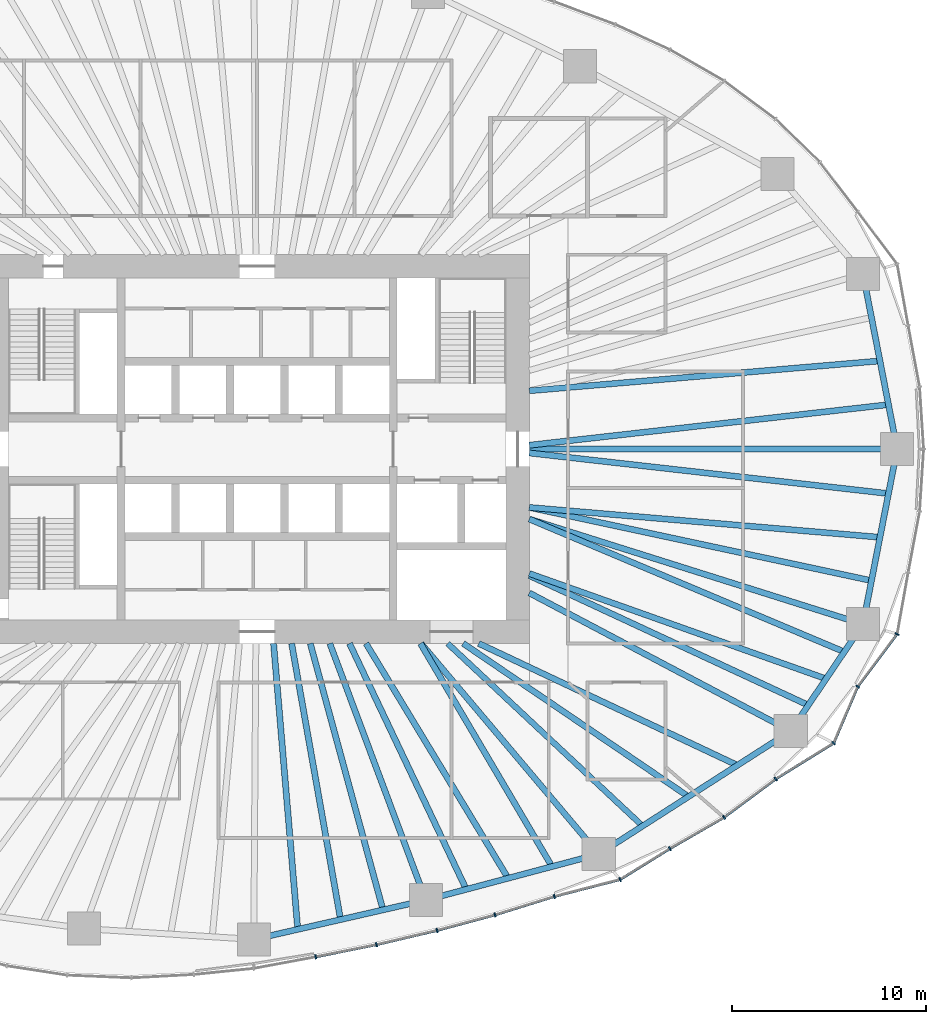
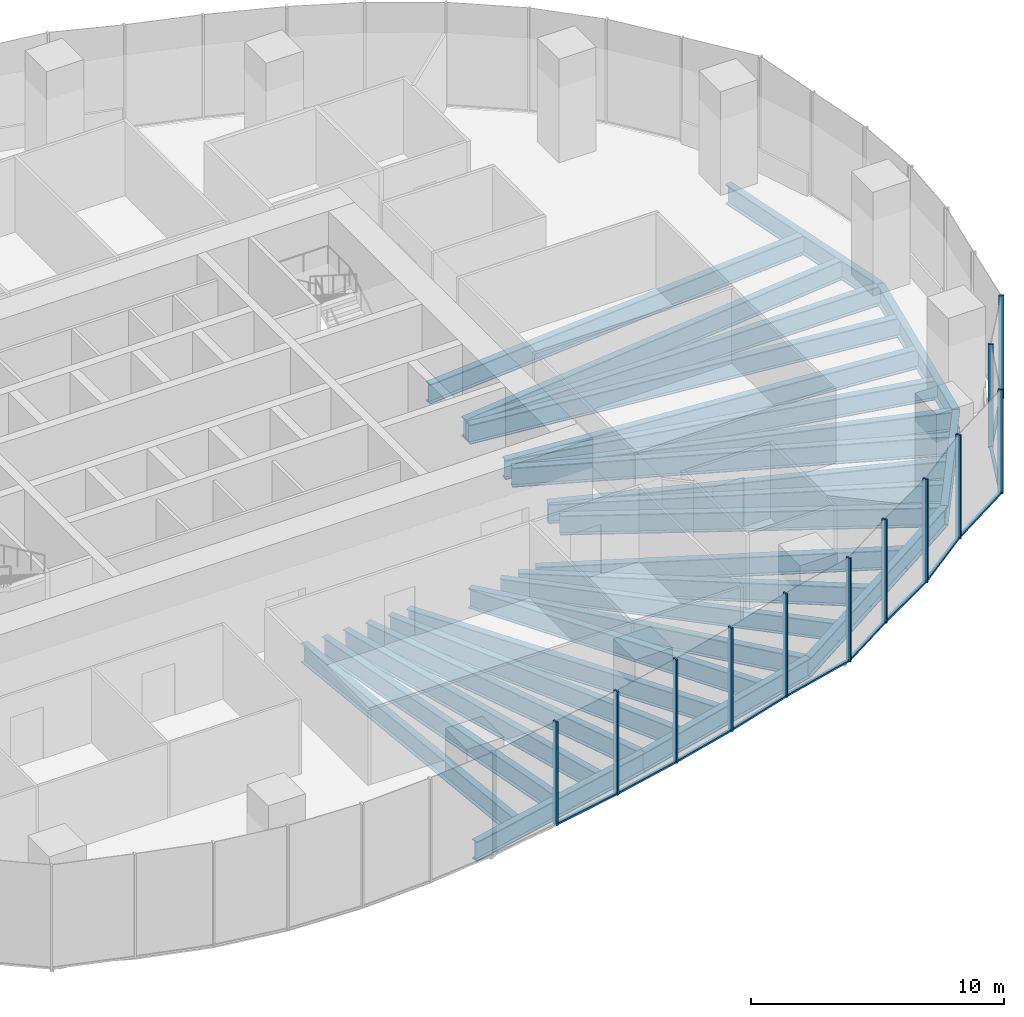
# One storey, part 4 of 20: 28 beams, 23 members, 5 elements without a shape of their own.
"""IFC4 building model written with IfcOpenShell, lengths in metres."""

from ifc_helpers import new_model, si_unit, direction, frame, origin, origin_2d, place, context, subcontext, project, spatial, rectangle, i_section, extrude, material, material_profile, profile_set, type_object, element, aggregate, save


model = new_model("IFC4")

# Units and contexts
model_context = context("Model", 3, precision=1e-05, world=origin(), true_north=direction((0.0, 1.0)))
body_context = subcontext(model_context, "Body", "Model", "MODEL_VIEW")
ifc_project = project(units=[si_unit("LENGTHUNIT", "METRE"), si_unit("AREAUNIT", "SQUARE_METRE"), si_unit("VOLUMEUNIT", "CUBIC_METRE"), si_unit("PLANEANGLEUNIT", "RADIAN"), si_unit("MASSUNIT", "GRAM", prefix="KILO")], contexts=[model_context])

# Site, building, storey
site_placement = place(None, origin())
site = spatial("IfcSite", under=ifc_project, at=site_placement, CompositionType="ELEMENT")
building_placement = place(site_placement, origin())
building = spatial("IfcBuilding", under=site, at=building_placement, Name="Ghaith Harvest Tower", CompositionType="ELEMENT")
storey_placement = place(building_placement, frame((0.0, 0.0, 90.0)))
storey = spatial("IfcBuildingStorey", under=building, at=storey_placement, Name="L18", CompositionType="ELEMENT", Elevation=90.0)

# Curtain wall, members
ifc_material_1 = material(Name="Black anodised aluminium and fritted glass", Category="aluminium")
curtain_wall_type = type_object("IfcCurtainWallType", Name="CW-F CURTAIN WALL", PredefinedType="NOTDEFINED", material=ifc_material_1)
curtain_wall_1_placement = place(storey_placement, origin())
curtain_wall_1 = element("IfcCurtainWall", 1, at=curtain_wall_1_placement, inside=storey, type_object=curtain_wall_type, Name="Curtain wall CW-F bay 16 L18", PredefinedType="NOTDEFINED")
ifc_material_2 = material(Name="Aluminium, black anodised", Category="aluminium")
ifc_material_profile_1 = material_profile(ifc_material_2, rectangle(XDim=0.080078125, YDim=0.219970703125, at=origin_2d()), Name="CW-F MULLION 80x220")
ifc_profile_set_1 = profile_set([ifc_material_profile_1], Name="Aluminium, black anodised")
member_type_1 = type_object("IfcMemberType", Name="CW-F MULLION 80x220", PredefinedType="MULLION", material=ifc_profile_set_1)
member_1_placement = place(storey_placement, frame((3.00927734375, -26.123291015625, 0.0), z_axis=(0.0, 0.0, 1.0), x_axis=(0.981818445714, 0.189822389762, 0.0)))
member_1 = element("IfcMember", 2, at=member_1_placement, type_object=member_type_1, Name="CW-F mullion 2 bay 16 L18", PredefinedType="MULLION", context=body_context, shape_type="SweptSolid", body=[
    extrude(rectangle(XDim=0.080078125, YDim=0.219970703125, at=origin_2d()), origin(), (0.0, 0.0, 1.0), 5.0),
])
member_2_placement = place(storey_placement, frame((6.136962890625, -25.495361328125, 0.0), z_axis=(0.0, 0.0, 1.0), x_axis=(0.977117973572, 0.212698062336, 0.0)))
member_2 = element("IfcMember", 3, at=member_2_placement, type_object=member_type_1, Name="CW-F mullion 3 bay 16 L18", PredefinedType="MULLION", context=body_context, shape_type="SweptSolid", body=[
    extrude(rectangle(XDim=0.080078125, YDim=0.219970703125, at=origin_2d()), origin(), (0.0, 0.0, 1.0), 5.0),
])

curtain_wall_2_placement = place(storey_placement, origin())
curtain_wall_2 = element("IfcCurtainWall", 4, at=curtain_wall_2_placement, inside=storey, type_object=curtain_wall_type, Name="Curtain wall CW-F bay 17 L18", PredefinedType="NOTDEFINED")
member_3_placement = place(storey_placement, frame((9.25732421875, -24.76318359375, 0.0), z_axis=(0.0, 0.0, 1.0), x_axis=(0.969903429248, 0.24348991341, 0.0)))
member_3 = element("IfcMember", 5, at=member_3_placement, type_object=member_type_1, Name="CW-F mullion 1 bay 17 L18", PredefinedType="MULLION", context=body_context, shape_type="SweptSolid", body=[
    extrude(rectangle(XDim=0.080078125, YDim=0.219970703125, at=origin_2d()), origin(), (0.0, 0.0, 1.0), 5.0),
])
member_4_placement = place(storey_placement, frame((12.234375, -23.964599609375, 0.0), z_axis=(0.0, 0.0, 1.0), x_axis=(0.960502189734, 0.278272426799, 0.0)))
member_4 = element("IfcMember", 6, at=member_4_placement, type_object=member_type_1, Name="CW-F mullion 2 bay 17 L18", PredefinedType="MULLION", context=body_context, shape_type="SweptSolid", body=[
    extrude(rectangle(XDim=0.080078125, YDim=0.219970703125, at=origin_2d()), origin(), (0.0, 0.0, 1.0), 5.0),
])
member_5_placement = place(storey_placement, frame((15.28759765625, -23.01611328125, 0.0), z_axis=(0.0, 0.0, 1.0), x_axis=(0.962313144018, 0.27194376781, 0.0)))
member_5 = element("IfcMember", 7, at=member_5_placement, type_object=member_type_1, Name="CW-F mullion 3 bay 17 L18", PredefinedType="MULLION", context=body_context, shape_type="SweptSolid", body=[
    extrude(rectangle(XDim=0.080078125, YDim=0.219970703125, at=origin_2d()), origin(), (0.0, 0.0, 1.0), 5.0),
])

curtain_wall_3_placement = place(storey_placement, origin())
curtain_wall_3 = element("IfcCurtainWall", 8, at=curtain_wall_3_placement, inside=storey, type_object=curtain_wall_type, Name="Curtain wall CW-F bay 18 L18", PredefinedType="NOTDEFINED")
member_6_placement = place(storey_placement, frame((18.674072265625, -22.144775390625, 0.0), z_axis=(0.0, 0.0, 1.0), x_axis=(0.923910199299, 0.382609387799, 0.0)))
member_6 = element("IfcMember", 9, at=member_6_placement, type_object=member_type_1, Name="CW-F mullion 1 bay 18 L18", PredefinedType="MULLION", context=body_context, shape_type="SweptSolid", body=[
    extrude(rectangle(XDim=0.080078125, YDim=0.219970703125, at=origin_2d()), origin(), (0.0, 0.0, 1.0), 5.0),
])
member_7_placement = place(storey_placement, frame((21.2353515625, -20.552978515625, 0.0), z_axis=(0.0, 0.0, 1.0), x_axis=(0.858140414942, 0.513415064293, 0.0)))
member_7 = element("IfcMember", 10, at=member_7_placement, type_object=member_type_1, Name="CW-F mullion 2 bay 18 L18", PredefinedType="MULLION", context=body_context, shape_type="SweptSolid", body=[
    extrude(rectangle(XDim=0.080078125, YDim=0.219970703125, at=origin_2d()), origin(), (0.0, 0.0, 1.0), 5.0),
])
member_8_placement = place(storey_placement, frame((24.018310546875, -18.947265625, 0.0), z_axis=(0.0, 0.0, 1.0), x_axis=(0.835443516838, 0.549576318788, 0.0)))
member_8 = element("IfcMember", 11, at=member_8_placement, type_object=member_type_1, Name="CW-F mullion 3 bay 18 L18", PredefinedType="MULLION", context=body_context, shape_type="SweptSolid", body=[
    extrude(rectangle(XDim=0.080078125, YDim=0.219970703125, at=origin_2d()), origin(), (0.0, 0.0, 1.0), 5.0),
])

curtain_wall_4_placement = place(storey_placement, origin())
curtain_wall_4 = element("IfcCurtainWall", 12, at=curtain_wall_4_placement, inside=storey, type_object=curtain_wall_type, Name="Curtain wall CW-F bay 19 L18", PredefinedType="NOTDEFINED")
member_9_placement = place(storey_placement, frame((26.673828125, -16.9755859375, 0.0), z_axis=(0.0, 0.0, 1.0), x_axis=(0.828002038115, 0.560725088504, 0.0)))
member_9 = element("IfcMember", 13, at=member_9_placement, type_object=member_type_1, Name="CW-F mullion 1 bay 19 L18", PredefinedType="MULLION", context=body_context, shape_type="SweptSolid", body=[
    extrude(rectangle(XDim=0.080078125, YDim=0.219970703125, at=origin_2d()), origin(), (0.0, 0.0, 1.0), 5.0),
])
member_10_placement = place(storey_placement, frame((29.659912109375, -15.126953125, 0.0), z_axis=(0.0, 0.0, 1.0), x_axis=(0.663604797505, 0.748083332743, 0.0)))
member_10 = element("IfcMember", 14, at=member_10_placement, type_object=member_type_1, Name="CW-F mullion 2 bay 19 L18", PredefinedType="MULLION", context=body_context, shape_type="SweptSolid", body=[
    extrude(rectangle(XDim=0.080078125, YDim=0.219970703125, at=origin_2d()), origin(), (0.0, 0.0, 1.0), 5.0),
])
member_11_placement = place(storey_placement, frame((30.896728515625, -12.215087890625, 0.0), z_axis=(0.0, 0.0, 1.0), x_axis=(0.5027946428, 0.864405892606, 0.0)))
member_11 = element("IfcMember", 15, at=member_11_placement, type_object=member_type_1, Name="CW-F mullion 3 bay 19 L18", PredefinedType="MULLION", context=body_context, shape_type="SweptSolid", body=[
    extrude(rectangle(XDim=0.080078125, YDim=0.219970703125, at=origin_2d()), origin(), (0.0, 0.0, 1.0), 5.0),
])

# Curtain wall, member
curtain_wall_5_placement = place(storey_placement, origin())
curtain_wall_5 = element("IfcCurtainWall", 16, at=curtain_wall_5_placement, inside=storey, type_object=curtain_wall_type, Name="Curtain wall CW-F bay 20 L18", PredefinedType="NOTDEFINED")
member_12_placement = place(storey_placement, frame((32.923583984375, -9.515625, 0.0), z_axis=(0.0, 0.0, 1.0), x_axis=(0.404701694001, 0.914448762301, 0.0)))
member_12 = element("IfcMember", 17, at=member_12_placement, type_object=member_type_1, Name="CW-F mullion 1 bay 20 L18", PredefinedType="MULLION", context=body_context, shape_type="SweptSolid", body=[
    extrude(rectangle(XDim=0.080078125, YDim=0.219970703125, at=origin_2d()), origin(), (0.0, 0.0, 1.0), 5.0),
])
aggregate(curtain_wall_5, [member_12])

# Member
ifc_material_3 = material(Name="Aluminium, black anodised", Category="aluminium")
ifc_material_profile_2 = material_profile(ifc_material_3, rectangle(XDim=0.139892578125, YDim=0.080078125, at=origin_2d()), Name="CW-F TRANSOM 140x80")
ifc_profile_set_2 = profile_set([ifc_material_profile_2], Name="Aluminium, black anodised")
member_type_2 = type_object("IfcMemberType", Name="CW-F TRANSOM 140x80", PredefinedType="USERDEFINED", material=ifc_profile_set_2)
member_13_placement = place(storey_placement, frame((3.04833984375, -26.115478515625, 0.0400390625), z_axis=(0.980432471193, 0.196855707129, 0.0), x_axis=(-0.196855707129, 0.980432471193, 0.0)))
member_13 = element("IfcMember", 18, at=member_13_placement, type_object=member_type_2, Name="CW-F transom 2 bay 16 L18", ObjectType="TRANSOM", PredefinedType="USERDEFINED", context=body_context, shape_type="SweptSolid", body=[
    extrude(rectangle(XDim=0.139892578125, YDim=0.080078125, at=origin_2d()), origin(), (0.0, 0.0, 1.0), 3.1103515625),
])

member_14_placement = place(storey_placement, frame((6.176025390625, -25.486083984375, 0.0400390625), z_axis=(0.973560415159, 0.228429678537, 0.0), x_axis=(-0.228429678537, 0.973560415159, 0.0)))
member_14 = element("IfcMember", 19, at=member_14_placement, type_object=member_type_2, Name="CW-F transom 3 bay 16 L18", ObjectType="TRANSOM", PredefinedType="USERDEFINED", context=body_context, shape_type="SweptSolid", body=[
    extrude(rectangle(XDim=0.139892578125, YDim=0.080078125, at=origin_2d()), origin(), (0.0, 0.0, 1.0), 3.125),
])

aggregate(curtain_wall_1, [member_1, member_13, member_2, member_14])

member_15_placement = place(storey_placement, frame((9.2958984375, -24.7529296875, 0.0400390625), z_axis=(0.965832908495, 0.259165570377, 0.0), x_axis=(-0.259165570377, 0.965832908495, 0.0)))
member_15 = element("IfcMember", 20, at=member_15_placement, type_object=member_type_2, Name="CW-F transom 1 bay 17 L18", ObjectType="TRANSOM", PredefinedType="USERDEFINED", context=body_context, shape_type="SweptSolid", body=[
    extrude(rectangle(XDim=0.139892578125, YDim=0.080078125, at=origin_2d()), origin(), (0.0, 0.0, 1.0), 3.002197265625),
])

member_16_placement = place(storey_placement, frame((12.2724609375, -23.95263671875, 0.0400390625), z_axis=(0.954998362353, 0.296611071781, 0.0), x_axis=(-0.296611071781, 0.954998362353, 0.0)))
member_16 = element("IfcMember", 21, at=member_16_placement, type_object=member_type_2, Name="CW-F transom 2 bay 17 L18", ObjectType="TRANSOM", PredefinedType="USERDEFINED", context=body_context, shape_type="SweptSolid", body=[
    extrude(rectangle(XDim=0.139892578125, YDim=0.080078125, at=origin_2d()), origin(), (0.0, 0.0, 1.0), 3.1171875),
])

member_17_placement = place(storey_placement, frame((15.326171875, -23.006103515625, 0.0400390625), z_axis=(0.968463874592, 0.249154015841, 0.0), x_axis=(-0.249154015841, 0.968463874592, 0.0)))
member_17 = element("IfcMember", 22, at=member_17_placement, type_object=member_type_2, Name="CW-F transom 3 bay 17 L18", ObjectType="TRANSOM", PredefinedType="USERDEFINED", context=body_context, shape_type="SweptSolid", body=[
    extrude(rectangle(XDim=0.139892578125, YDim=0.080078125, at=origin_2d()), origin(), (0.0, 0.0, 1.0), 3.416748046875),
])

aggregate(curtain_wall_2, [member_3, member_15, member_4, member_16, member_5, member_17])

member_18_placement = place(storey_placement, frame((18.7080078125, -22.12353515625, 0.0400390625), z_axis=(0.849383069026, 0.527776848726, 0.0), x_axis=(-0.527776848726, 0.849383069026, 0.0)))
member_18 = element("IfcMember", 23, at=member_18_placement, type_object=member_type_2, Name="CW-F transom 1 bay 18 L18", ObjectType="TRANSOM", PredefinedType="USERDEFINED", context=body_context, shape_type="SweptSolid", body=[
    extrude(rectangle(XDim=0.139892578125, YDim=0.080078125, at=origin_2d()), origin(), (0.0, 0.0, 1.0), 2.935546875),
])

member_19_placement = place(storey_placement, frame((21.27001953125, -20.532958984375, 0.0400390625), z_axis=(0.866168719914, 0.499751686983, 0.0), x_axis=(-0.499751686983, 0.866168719914, 0.0)))
member_19 = element("IfcMember", 24, at=member_19_placement, type_object=member_type_2, Name="CW-F transom 2 bay 18 L18", ObjectType="TRANSOM", PredefinedType="USERDEFINED", context=body_context, shape_type="SweptSolid", body=[
    extrude(rectangle(XDim=0.139892578125, YDim=0.080078125, at=origin_2d()), origin(), (0.0, 0.0, 1.0), 3.1328125),
])

member_20_placement = place(storey_placement, frame((24.050537109375, -18.92333984375, 0.0400390625), z_axis=(0.802877287823, 0.596144328748, 0.0), x_axis=(-0.596144328748, 0.802877287823, 0.0)))
member_20 = element("IfcMember", 25, at=member_20_placement, type_object=member_type_2, Name="CW-F transom 3 bay 18 L18", ObjectType="TRANSOM", PredefinedType="USERDEFINED", context=body_context, shape_type="SweptSolid", body=[
    extrude(rectangle(XDim=0.139892578125, YDim=0.080078125, at=origin_2d()), origin(), (0.0, 0.0, 1.0), 3.2275390625),
])

aggregate(curtain_wall_3, [member_6, member_18, member_7, member_19, member_8, member_20])

member_21_placement = place(storey_placement, frame((26.707763671875, -16.954345703125, 0.0400390625), z_axis=(0.850260598386, 0.526361961802, 0.0), x_axis=(-0.526361961802, 0.850260598386, 0.0)))
member_21 = element("IfcMember", 26, at=member_21_placement, type_object=member_type_2, Name="CW-F transom 1 bay 19 L18", ObjectType="TRANSOM", PredefinedType="USERDEFINED", context=body_context, shape_type="SweptSolid", body=[
    extrude(rectangle(XDim=0.139892578125, YDim=0.080078125, at=origin_2d()), origin(), (0.0, 0.0, 1.0), 3.431884765625),
])

member_22_placement = place(storey_placement, frame((29.675537109375, -15.090087890625, 0.0400390625), z_axis=(0.390936107494, 0.92041781809, 0.0), x_axis=(-0.92041781809, 0.390936107494, 0.0)))
member_22 = element("IfcMember", 27, at=member_22_placement, type_object=member_type_2, Name="CW-F transom 2 bay 19 L18", ObjectType="TRANSOM", PredefinedType="USERDEFINED", context=body_context, shape_type="SweptSolid", body=[
    extrude(rectangle(XDim=0.139892578125, YDim=0.080078125, at=origin_2d()), origin(), (0.0, 0.0, 1.0), 3.083740234375),
])

member_23_placement = place(storey_placement, frame((30.920654296875, -12.18310546875, 0.0400390625), z_axis=(0.600462135687, 0.799653189581, 0.0), x_axis=(-0.799653189581, 0.600462135687, 0.0)))
member_23 = element("IfcMember", 28, at=member_23_placement, type_object=member_type_2, Name="CW-F transom 3 bay 19 L18", ObjectType="TRANSOM", PredefinedType="USERDEFINED", context=body_context, shape_type="SweptSolid", body=[
    extrude(rectangle(XDim=0.139892578125, YDim=0.080078125, at=origin_2d()), origin(), (0.0, 0.0, 1.0), 3.2958984375),
])

aggregate(curtain_wall_4, [member_9, member_21, member_10, member_22, member_11, member_23])

# Beams
ifc_material_4 = material(Name="Steel ASTM A992 Grade 50", Category="steel")
ifc_material_profile_3 = material_profile(ifc_material_4, i_section(OverallWidth=0.306884765625, OverallDepth=0.94189453125, WebThickness=0.022216796875, FlangeThickness=0.039794921875, at=origin_2d()), Name="W920X345")
ifc_profile_set_3 = profile_set([ifc_material_profile_3], Name="Steel ASTM A992 Grade 50")
beam_type_1 = type_object("IfcBeamType", Name="E920-345 W920X345", PredefinedType="SPANDREL", material=ifc_profile_set_3)
beam_1_placement = place(storey_placement, frame((32.925048828125, 0.0, -0.6708984375), z_axis=(-0.191653479461, 0.981462655332, 0.0), x_axis=(-0.981462655332, -0.191653479461, 0.0)))
element("IfcBeam", 29, at=beam_1_placement, inside=storey, type_object=beam_type_1, Name="Edge beam E01 L18", PredefinedType="SPANDREL", context=body_context, shape_type="SweptSolid", body=[
    extrude(i_section(OverallWidth=0.306884765625, OverallDepth=0.94189453125, WebThickness=0.022216796875, FlangeThickness=0.039794921875, at=origin_2d()), origin(), (0.0, 0.0, 1.0), 9.17822265625),
])
beam_2_placement = place(storey_placement, frame((-0.173095703125, -25.22412109375, -0.6708984375), z_axis=(0.974881709383, 0.22272326486, 0.0), x_axis=(-0.22272326486, 0.974881709383, 0.0)))
element("IfcBeam", 30, at=beam_2_placement, inside=storey, type_object=beam_type_1, Name="Edge beam E16 L18", PredefinedType="SPANDREL", context=body_context, shape_type="SweptSolid", body=[
    extrude(i_section(OverallWidth=0.306884765625, OverallDepth=0.94189453125, WebThickness=0.022216796875, FlangeThickness=0.039794921875, at=origin_2d()), origin(), (0.0, 0.0, 1.0), 9.0751953125),
])
beam_3_placement = place(storey_placement, frame((8.674072265625, -23.202880859375, -0.6708984375), z_axis=(0.966419097109, 0.256971065963, 0.0), x_axis=(-0.256971065963, 0.966419097109, 0.0)))
element("IfcBeam", 31, at=beam_3_placement, inside=storey, type_object=beam_type_1, Name="Edge beam E17 L18", PredefinedType="SPANDREL", context=body_context, shape_type="SweptSolid", body=[
    extrude(i_section(OverallWidth=0.306884765625, OverallDepth=0.94189453125, WebThickness=0.022216796875, FlangeThickness=0.039794921875, at=origin_2d()), origin(), (0.0, 0.0, 1.0), 9.20703125),
])
beam_4_placement = place(storey_placement, frame((17.572021484375, -20.8369140625, -0.6708984375), z_axis=(0.842014649705, 0.539454659524, 0.0), x_axis=(-0.539454659524, 0.842014649705, 0.0)))
element("IfcBeam", 32, at=beam_4_placement, inside=storey, type_object=beam_type_1, Name="Edge beam E18 L18", PredefinedType="SPANDREL", context=body_context, shape_type="SweptSolid", body=[
    extrude(i_section(OverallWidth=0.306884765625, OverallDepth=0.94189453125, WebThickness=0.022216796875, FlangeThickness=0.039794921875, at=origin_2d()), origin(), (0.0, 0.0, 1.0), 11.730224609375),
])
beam_5_placement = place(storey_placement, frame((27.448974609375, -14.509033203125, -0.6708984375), z_axis=(0.559874470017, 0.828577442261, 0.0), x_axis=(-0.828577442261, 0.559874470017, 0.0)))
element("IfcBeam", 33, at=beam_5_placement, inside=storey, type_object=beam_type_1, Name="Edge beam E19 L18", PredefinedType="SPANDREL", context=body_context, shape_type="SweptSolid", body=[
    extrude(i_section(OverallWidth=0.306884765625, OverallDepth=0.94189453125, WebThickness=0.022216796875, FlangeThickness=0.039794921875, at=origin_2d()), origin(), (0.0, 0.0, 1.0), 6.63916015625),
])
beam_6_placement = place(storey_placement, frame((31.166015625, -9.008056640625, -0.6708984375), z_axis=(0.191653479461, 0.981462655332, 0.0), x_axis=(-0.981462655332, 0.191653479461, 0.0)))
element("IfcBeam", 34, at=beam_6_placement, inside=storey, type_object=beam_type_1, Name="Edge beam E20 L18", PredefinedType="SPANDREL", context=body_context, shape_type="SweptSolid", body=[
    extrude(i_section(OverallWidth=0.306884765625, OverallDepth=0.94189453125, WebThickness=0.022216796875, FlangeThickness=0.039794921875, at=origin_2d()), origin(), (0.0, 0.0, 1.0), 9.17822265625),
])
ifc_material_5 = material(Name="Steel ASTM A992 Grade 50", Category="steel")
ifc_material_profile_4 = material_profile(ifc_material_5, i_section(OverallWidth=0.306884765625, OverallDepth=0.94189453125, WebThickness=0.022216796875, FlangeThickness=0.039794921875, at=origin_2d()), Name="W920X345")
ifc_profile_set_4 = profile_set([ifc_material_profile_4], Name="Steel ASTM A992 Grade 50")
beam_type_2 = type_object("IfcBeamType", Name="G920-345 W920X345", PredefinedType="BEAM", material=ifc_profile_set_4)
beam_7_placement = place(storey_placement, frame((14.0, 0.0, -0.6708984375), z_axis=(1.0, 0.0, 0.0), x_axis=(0.0, 1.0, 0.0)))
element("IfcBeam", 35, at=beam_7_placement, inside=storey, type_object=beam_type_2, Name="Radial girder G01 L18", PredefinedType="BEAM", context=body_context, shape_type="SweptSolid", body=[
    extrude(i_section(OverallWidth=0.306884765625, OverallDepth=0.94189453125, WebThickness=0.022216796875, FlangeThickness=0.039794921875, at=origin_2d()), origin(), (0.0, 0.0, 1.0), 18.925048828125),
])
beam_8_placement = place(storey_placement, frame((3.73828125, -10.0, -0.6708984375), z_axis=(0.350172283717, -0.936685310932, 0.0), x_axis=(0.936685310932, 0.350172283717, 0.0)))
element("IfcBeam", 36, at=beam_8_placement, inside=storey, type_object=beam_type_2, Name="Radial girder G17 L18", PredefinedType="BEAM", context=body_context, shape_type="SweptSolid", body=[
    extrude(i_section(OverallWidth=0.306884765625, OverallDepth=0.94189453125, WebThickness=0.022216796875, FlangeThickness=0.039794921875, at=origin_2d()), origin(), (0.0, 0.0, 1.0), 14.09521484375),
])
beam_9_placement = place(storey_placement, frame((8.4326171875, -10.0, -0.6708984375), z_axis=(0.644696130938, -0.764438943771, 0.0), x_axis=(0.764438943771, 0.644696130938, 0.0)))
element("IfcBeam", 37, at=beam_9_placement, inside=storey, type_object=beam_type_2, Name="Radial girder G18 L18", PredefinedType="BEAM", context=body_context, shape_type="SweptSolid", body=[
    extrude(i_section(OverallWidth=0.306884765625, OverallDepth=0.94189453125, WebThickness=0.022216796875, FlangeThickness=0.039794921875, at=origin_2d()), origin(), (0.0, 0.0, 1.0), 14.17626953125),
])
beam_10_placement = place(storey_placement, frame((14.0, -7.39990234375, -0.6708984375), z_axis=(0.884084425997, -0.467327216959, 0.0), x_axis=(0.467327216959, 0.884084425997, 0.0)))
element("IfcBeam", 38, at=beam_10_placement, inside=storey, type_object=beam_type_2, Name="Radial girder G19 L18", PredefinedType="BEAM", context=body_context, shape_type="SweptSolid", body=[
    extrude(i_section(OverallWidth=0.306884765625, OverallDepth=0.94189453125, WebThickness=0.022216796875, FlangeThickness=0.039794921875, at=origin_2d()), origin(), (0.0, 0.0, 1.0), 15.21240234375),
])
beam_11_placement = place(storey_placement, frame((14.0, -3.60009765625, -0.6708984375), z_axis=(0.953788071692, -0.300480139607, 0.0), x_axis=(0.300480139607, 0.953788071692, 0.0)))
element("IfcBeam", 39, at=beam_11_placement, inside=storey, type_object=beam_type_2, Name="Radial girder G20 L18", PredefinedType="BEAM", context=body_context, shape_type="SweptSolid", body=[
    extrude(i_section(OverallWidth=0.306884765625, OverallDepth=0.94189453125, WebThickness=0.022216796875, FlangeThickness=0.039794921875, at=origin_2d()), origin(), (0.0, 0.0, 1.0), 17.997802734375),
])
ifc_material_6 = material(Name="Steel ASTM A992 Grade 50", Category="steel")
ifc_material_profile_5 = material_profile(ifc_material_6, i_section(OverallWidth=0.2939453125, OverallDepth=0.85107421875, WebThickness=0.01611328125, FlangeThickness=0.02685546875, at=origin_2d()), Name="W840X226")
ifc_profile_set_5 = profile_set([ifc_material_profile_5], Name="Steel ASTM A992 Grade 50")
beam_type_3 = type_object("IfcBeamType", Name="J840-226 W840X226", PredefinedType="JOIST", material=ifc_profile_set_5)
beam_12_placement = place(storey_placement, frame((9.800048828125, -10.0, -0.62548828125), z_axis=(0.72994990542, -0.683500647825, 0.0), x_axis=(0.683500647825, 0.72994990542, 0.0)))
element("IfcBeam", 40, at=beam_12_placement, inside=storey, type_object=beam_type_3, Name="Joist J18.1 L18", PredefinedType="JOIST", context=body_context, shape_type="SweptSolid", body=[
    extrude(i_section(OverallWidth=0.2939453125, OverallDepth=0.85107421875, WebThickness=0.01611328125, FlangeThickness=0.02685546875, at=origin_2d()), origin(), (0.0, 0.0, 1.0), 13.7392578125),
])
ifc_material_7 = material(Name="Steel ASTM A992 Grade 50", Category="steel")
ifc_material_profile_6 = material_profile(ifc_material_7, i_section(OverallWidth=0.31005859375, OverallDepth=0.927001953125, WebThickness=0.019287109375, FlangeThickness=0.031982421875, at=origin_2d()), Name="W920X289")
ifc_profile_set_6 = profile_set([ifc_material_profile_6], Name="Steel ASTM A992 Grade 50")
beam_type_4 = type_object("IfcBeamType", Name="J920-289 W920X289", PredefinedType="JOIST", material=ifc_profile_set_6)
beam_13_placement = place(storey_placement, frame((0.844970703125, -10.0, -0.66357421875), z_axis=(0.084208979751, -0.996448115924, 0.0), x_axis=(0.996448115924, 0.084208979751, 0.0)))
element("IfcBeam", 41, at=beam_13_placement, inside=storey, type_object=beam_type_4, Name="Joist J16.1 L18", PredefinedType="JOIST", context=body_context, shape_type="SweptSolid", body=[
    extrude(i_section(OverallWidth=0.31005859375, OverallDepth=0.927001953125, WebThickness=0.019287109375, FlangeThickness=0.031982421875, at=origin_2d()), origin(), (0.0, 0.0, 1.0), 14.760009765625),
])
beam_14_placement = place(storey_placement, frame((1.772705078125, -10.0, -0.66357421875), z_axis=(0.174552818486, -0.98464781194, 0.0), x_axis=(0.98464781194, 0.174552818486, 0.0)))
element("IfcBeam", 42, at=beam_14_placement, inside=storey, type_object=beam_type_4, Name="Joist J16.2 L18", PredefinedType="JOIST", context=body_context, shape_type="SweptSolid", body=[
    extrude(i_section(OverallWidth=0.31005859375, OverallDepth=0.927001953125, WebThickness=0.019287109375, FlangeThickness=0.031982421875, at=origin_2d()), origin(), (0.0, 0.0, 1.0), 14.42578125),
])
beam_15_placement = place(storey_placement, frame((2.73095703125, -10.0, -0.66357421875), z_axis=(0.263463446032, -0.964669379946, 0.0), x_axis=(0.964669379946, 0.263463446032, 0.0)))
element("IfcBeam", 43, at=beam_15_placement, inside=storey, type_object=beam_type_4, Name="Joist J16.3 L18", PredefinedType="JOIST", context=body_context, shape_type="SweptSolid", body=[
    extrude(i_section(OverallWidth=0.31005859375, OverallDepth=0.927001953125, WebThickness=0.019287109375, FlangeThickness=0.031982421875, at=origin_2d()), origin(), (0.0, 0.0, 1.0), 14.20751953125),
])
beam_16_placement = place(storey_placement, frame((4.75, -10.0, -0.66357421875), z_axis=(0.429067127754, -0.903272605519, 0.0), x_axis=(0.903272605519, 0.429067127754, 0.0)))
element("IfcBeam", 44, at=beam_16_placement, inside=storey, type_object=beam_type_4, Name="Joist J17.1 L18", PredefinedType="JOIST", context=body_context, shape_type="SweptSolid", body=[
    extrude(i_section(OverallWidth=0.31005859375, OverallDepth=0.927001953125, WebThickness=0.019287109375, FlangeThickness=0.031982421875, at=origin_2d()), origin(), (0.0, 0.0, 1.0), 14.003173828125),
])
beam_17_placement = place(storey_placement, frame((5.60009765625, -10.0, -0.66357421875), z_axis=(0.517828660199, -0.855484353262, 0.0), x_axis=(0.855484353262, 0.517828660199, 0.0)))
element("IfcBeam", 45, at=beam_17_placement, inside=storey, type_object=beam_type_4, Name="Joist J17.2 L18", PredefinedType="JOIST", context=body_context, shape_type="SweptSolid", body=[
    extrude(i_section(OverallWidth=0.31005859375, OverallDepth=0.927001953125, WebThickness=0.019287109375, FlangeThickness=0.031982421875, at=origin_2d()), origin(), (0.0, 0.0, 1.0), 14.11669921875),
])
beam_18_placement = place(storey_placement, frame((8.39990234375, -10.0, -0.66357421875), z_axis=(0.507894375661, -0.861419353841, 0.0), x_axis=(0.861419353841, 0.507894375661, 0.0)))
element("IfcBeam", 46, at=beam_18_placement, inside=storey, type_object=beam_type_4, Name="Joist J17.3 L18", PredefinedType="JOIST", context=body_context, shape_type="SweptSolid", body=[
    extrude(i_section(OverallWidth=0.31005859375, OverallDepth=0.927001953125, WebThickness=0.019287109375, FlangeThickness=0.031982421875, at=origin_2d()), origin(), (0.0, 0.0, 1.0), 13.32275390625),
])
beam_19_placement = place(storey_placement, frame((10.60009765625, -10.0, -0.66357421875), z_axis=(0.826982555637, -0.562227580853, 0.0), x_axis=(0.562227580853, 0.826982555637, 0.0)))
element("IfcBeam", 47, at=beam_19_placement, inside=storey, type_object=beam_type_4, Name="Joist J18.2 L18", PredefinedType="JOIST", context=body_context, shape_type="SweptSolid", body=[
    extrude(i_section(OverallWidth=0.31005859375, OverallDepth=0.927001953125, WebThickness=0.019287109375, FlangeThickness=0.031982421875, at=origin_2d()), origin(), (0.0, 0.0, 1.0), 14.013671875),
])
beam_20_placement = place(storey_placement, frame((11.39990234375, -10.0, -0.66357421875), z_axis=(0.904709580205, -0.426028843489, 0.0), x_axis=(0.426028843489, 0.904709580205, 0.0)))
element("IfcBeam", 48, at=beam_20_placement, inside=storey, type_object=beam_type_4, Name="Joist J18.3 L18", PredefinedType="JOIST", context=body_context, shape_type="SweptSolid", body=[
    extrude(i_section(OverallWidth=0.31005859375, OverallDepth=0.927001953125, WebThickness=0.019287109375, FlangeThickness=0.031982421875, at=origin_2d()), origin(), (0.0, 0.0, 1.0), 14.708251953125),
])
beam_21_placement = place(storey_placement, frame((14.0, -6.506103515625, -0.66357421875), z_axis=(0.906865804441, -0.421419521067, 0.0), x_axis=(0.421419521067, 0.906865804441, 0.0)))
element("IfcBeam", 49, at=beam_21_placement, inside=storey, type_object=beam_type_4, Name="Joist J19.1 L18", PredefinedType="JOIST", context=body_context, shape_type="SweptSolid", body=[
    extrude(i_section(OverallWidth=0.31005859375, OverallDepth=0.927001953125, WebThickness=0.019287109375, FlangeThickness=0.031982421875, at=origin_2d()), origin(), (0.0, 0.0, 1.0), 15.824462890625),
])
ifc_material_8 = material(Name="Steel ASTM A992 Grade 50", Category="steel")
ifc_material_profile_7 = material_profile(ifc_material_8, i_section(OverallWidth=0.306884765625, OverallDepth=0.94189453125, WebThickness=0.022216796875, FlangeThickness=0.039794921875, at=origin_2d()), Name="W920X345")
ifc_profile_set_7 = profile_set([ifc_material_profile_7], Name="Steel ASTM A992 Grade 50")
beam_type_5 = type_object("IfcBeamType", Name="J920-345 W920X345", PredefinedType="JOIST", material=ifc_profile_set_7)
beam_22_placement = place(storey_placement, frame((14.0, 0.199951171875, -0.6708984375), z_axis=(0.993675458798, 0.112290171352, 0.0), x_axis=(-0.112290171352, 0.993675458798, 0.0)))
element("IfcBeam", 50, at=beam_22_placement, inside=storey, type_object=beam_type_5, Name="Joist J01.1 L18", PredefinedType="JOIST", context=body_context, shape_type="SweptSolid", body=[
    extrude(i_section(OverallWidth=0.306884765625, OverallDepth=0.94189453125, WebThickness=0.022216796875, FlangeThickness=0.039794921875, at=origin_2d()), origin(), (0.0, 0.0, 1.0), 18.595947265625),
])
beam_23_placement = place(storey_placement, frame((14.0, 3.0, -0.6708984375), z_axis=(0.996389274474, 0.084902377546, 0.0), x_axis=(-0.084902377546, 0.996389274474, 0.0)))
element("IfcBeam", 51, at=beam_23_placement, inside=storey, type_object=beam_type_5, Name="Joist J01.2 L18", PredefinedType="JOIST", context=body_context, shape_type="SweptSolid", body=[
    extrude(i_section(OverallWidth=0.306884765625, OverallDepth=0.94189453125, WebThickness=0.022216796875, FlangeThickness=0.039794921875, at=origin_2d()), origin(), (0.0, 0.0, 1.0), 18.1044921875),
])
beam_24_placement = place(storey_placement, frame((14.0, -6.39990234375, -0.6708984375), z_axis=(0.942399857711, -0.334488427581, 0.0), x_axis=(0.334488427581, 0.942399857711, 0.0)))
element("IfcBeam", 52, at=beam_24_placement, inside=storey, type_object=beam_type_5, Name="Joist J19.2 L18", PredefinedType="JOIST", context=body_context, shape_type="SweptSolid", body=[
    extrude(i_section(OverallWidth=0.306884765625, OverallDepth=0.94189453125, WebThickness=0.022216796875, FlangeThickness=0.039794921875, at=origin_2d()), origin(), (0.0, 0.0, 1.0), 16.199951171875),
])
beam_25_placement = place(storey_placement, frame((14.0, -3.60009765625, -0.6708984375), z_axis=(0.921432978784, -0.388537341333, 0.0), x_axis=(0.388537341333, 0.921432978784, 0.0)))
element("IfcBeam", 53, at=beam_25_placement, inside=storey, type_object=beam_type_5, Name="Joist J19.3 L18", PredefinedType="JOIST", context=body_context, shape_type="SweptSolid", body=[
    extrude(i_section(OverallWidth=0.306884765625, OverallDepth=0.94189453125, WebThickness=0.022216796875, FlangeThickness=0.039794921875, at=origin_2d()), origin(), (0.0, 0.0, 1.0), 17.585205078125),
])
beam_26_placement = place(storey_placement, frame((14.0, -3.0, -0.6708984375), z_axis=(0.977831380626, -0.209393865869, 0.0), x_axis=(0.209393865869, 0.977831380626, 0.0)))
element("IfcBeam", 54, at=beam_26_placement, inside=storey, type_object=beam_type_5, Name="Joist J20.1 L18", PredefinedType="JOIST", context=body_context, shape_type="SweptSolid", body=[
    extrude(i_section(OverallWidth=0.306884765625, OverallDepth=0.94189453125, WebThickness=0.022216796875, FlangeThickness=0.039794921875, at=origin_2d()), origin(), (0.0, 0.0, 1.0), 18.002197265625),
])
beam_27_placement = place(storey_placement, frame((14.0, -3.0, -0.6708984375), z_axis=(0.996389274474, -0.084902377546, 0.0), x_axis=(0.084902377546, 0.996389274474, 0.0)))
element("IfcBeam", 55, at=beam_27_placement, inside=storey, type_object=beam_type_5, Name="Joist J20.2 L18", PredefinedType="JOIST", context=body_context, shape_type="SweptSolid", body=[
    extrude(i_section(OverallWidth=0.306884765625, OverallDepth=0.94189453125, WebThickness=0.022216796875, FlangeThickness=0.039794921875, at=origin_2d()), origin(), (0.0, 0.0, 1.0), 18.1044921875),
])
beam_28_placement = place(storey_placement, frame((14.0, -0.199951171875, -0.6708984375), z_axis=(0.993675458798, -0.112290171352, 0.0), x_axis=(0.112290171352, 0.993675458798, 0.0)))
element("IfcBeam", 56, at=beam_28_placement, inside=storey, type_object=beam_type_5, Name="Joist J20.3 L18", PredefinedType="JOIST", context=body_context, shape_type="SweptSolid", body=[
    extrude(i_section(OverallWidth=0.306884765625, OverallDepth=0.94189453125, WebThickness=0.022216796875, FlangeThickness=0.039794921875, at=origin_2d()), origin(), (0.0, 0.0, 1.0), 18.595947265625),
])

save(model, "model.ifc")
